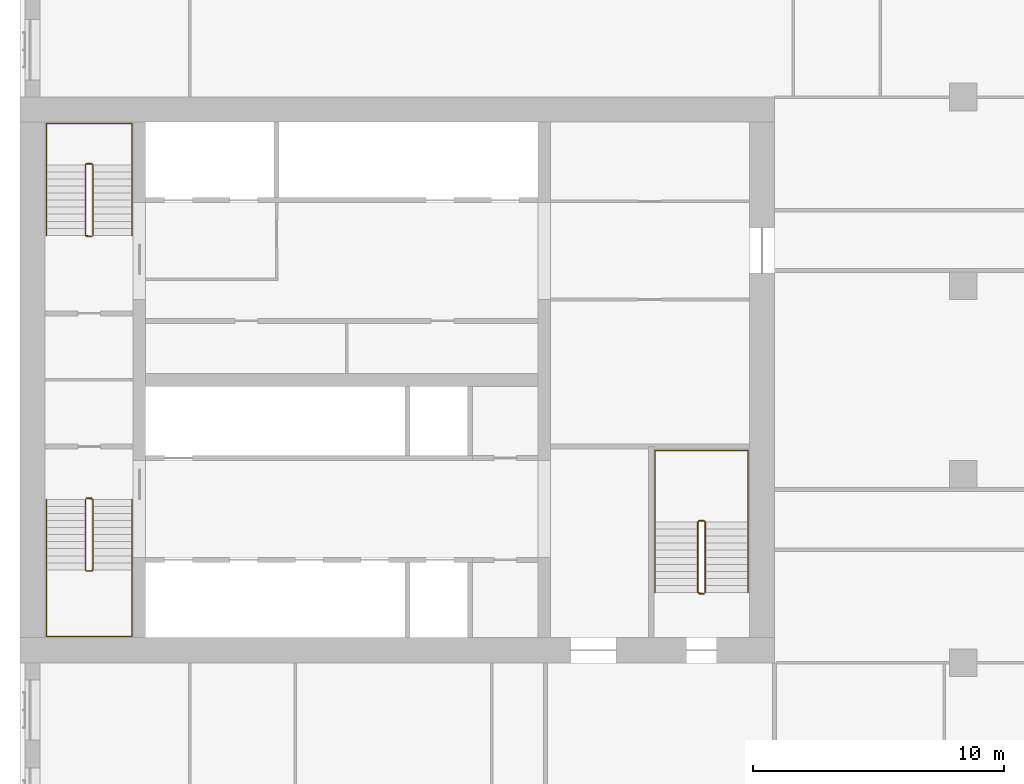
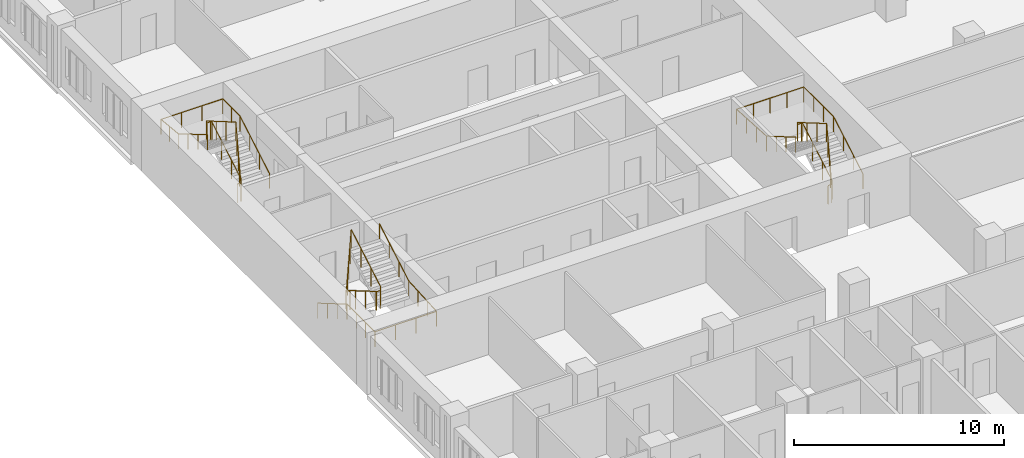
# One storey, part 14 of 14: 6 railings.
"""IFC4 building model written with IfcOpenShell, lengths in metres."""

from ifc_helpers import new_model, si_unit, direction, frame, origin, origin_2d, place, context, subcontext, project, spatial, circle, extrude, material, type_object, element, save


model = new_model("IFC4")

# Units and contexts
model_context = context("Model", 3, precision=1e-05, world=origin(), true_north=direction((0.0, 1.0)))
body_context = subcontext(model_context, "Body", "Model", "MODEL_VIEW")
ifc_project = project(units=[si_unit("LENGTHUNIT", "METRE"), si_unit("AREAUNIT", "SQUARE_METRE"), si_unit("VOLUMEUNIT", "CUBIC_METRE"), si_unit("PLANEANGLEUNIT", "RADIAN"), si_unit("MASSUNIT", "GRAM", prefix="KILO")], contexts=[model_context])

# Site, building, storey
site_placement = place(None, origin())
site = spatial("IfcSite", under=ifc_project, at=site_placement, CompositionType="ELEMENT")
building_placement = place(site_placement, origin())
building = spatial("IfcBuilding", under=site, at=building_placement, Name="Tamorin Gate", CompositionType="ELEMENT")
storey_placement = place(building_placement, frame((0.0, 0.0, 104.300048828125)))
storey = spatial("IfcBuildingStorey", under=building, at=storey_placement, Name="L25", CompositionType="ELEMENT", Elevation=104.300048828125)

# Railings
ifc_material_1 = material(Name="Painted steel balustrade", Category="steel")
railing_type_1 = type_object("IfcRailingType", Name="Stair guard 1100", PredefinedType="GUARDRAIL", material=ifc_material_1)
railing_1_placement = place(storey_placement, frame((32.60009765625, 66.5, 0.16357421875)))
element("IfcRailing", 1, at=railing_1_placement, inside=storey, type_object=railing_type_1, Name="L25 ST1 stair guard 1", PredefinedType="GUARDRAIL", context=body_context, shape_type="SweptSolid", body=[
    extrude(circle(Radius=0.02392578125, at=origin_2d()), frame((0.0, 0.0, 1.076171875), z_axis=(0.0, -0.863360870873, 0.504586966384), x_axis=(1.0, 0.0, 0.0)), (0.0, 0.0, 1.0), 3.2431640625),
    extrude(circle(Radius=0.02392578125, at=origin_2d()), frame((0.0, -2.800048828125, 2.71240234375), z_axis=(0.705375805398, -0.708833529934, 0.0), x_axis=(0.708833529934, 0.705375805398, 0.0)), (0.0, 0.0, 1.0), 0.070556640625),
    extrude(circle(Radius=0.02392578125, at=origin_2d()), frame((0.0498046875, -2.85009765625, 2.71240234375), z_axis=(1.0, 0.0, 0.0), x_axis=(0.0, 1.0, 0.0)), (0.0, 0.0, 1.0), 0.2001953125),
    extrude(circle(Radius=0.02392578125, at=origin_2d()), frame((0.25, -2.85009765625, 2.71240234375), z_axis=(0.279546231943, 0.280916556609, 0.91811752648), x_axis=(-0.708833529934, 0.705375805398, 0.0)), (0.0, 0.0, 1.0), 0.17822265625),
    extrude(circle(Radius=0.02392578125, at=origin_2d()), frame((0.2998046875, -2.800048828125, 2.8759765625), z_axis=(0.0, 0.863393664356, 0.504530851732), x_axis=(-1.0, 0.0, 0.0)), (0.0, 0.0, 1.0), 3.2431640625),
    extrude(circle(Radius=0.02392578125, at=origin_2d()), frame((0.2998046875, 0.0, 4.51220703125), z_axis=(-0.069273741535, 0.013868278335, -0.997501288014), x_axis=(-0.196300278283, -0.98054382908, 0.0)), (0.0, 0.0, 1.0), 3.60888671875),
    extrude(circle(Radius=0.02392578125, at=origin_2d()), frame((0.0498046875, 0.050048828125, 0.91259765625), z_axis=(1.0, 0.0, 0.0), x_axis=(0.0, 1.0, 0.0)), (0.0, 0.0, 1.0), 0.2001953125),
    extrude(circle(Radius=0.02099609375, at=origin_2d()), origin(), (0.0, 0.0, 1.0), 1.052001953125),
    extrude(circle(Radius=0.02099609375, at=origin_2d()), frame((0.0, -0.933349609375, 0.54541015625)), (0.0, 0.0, 1.0), 1.052001953125),
    extrude(circle(Radius=0.02099609375, at=origin_2d()), frame((0.0, -1.86669921875, 1.091064453125)), (0.0, 0.0, 1.0), 1.052001953125),
    extrude(circle(Radius=0.02099609375, at=origin_2d()), frame((0.0, -2.800048828125, 1.636474609375)), (0.0, 0.0, 1.0), 1.052001953125),
    extrude(circle(Radius=0.02099609375, at=origin_2d()), frame((0.0498046875, -2.85009765625, 1.636474609375)), (0.0, 0.0, 1.0), 1.052001953125),
    extrude(circle(Radius=0.02099609375, at=origin_2d()), frame((0.25, -2.85009765625, 1.636474609375)), (0.0, 0.0, 1.0), 1.052001953125),
    extrude(circle(Radius=0.02099609375, at=origin_2d()), frame((0.2998046875, -2.800048828125, 1.800048828125)), (0.0, 0.0, 1.0), 1.052001953125),
    extrude(circle(Radius=0.02099609375, at=origin_2d()), frame((0.2998046875, -1.86669921875, 2.345458984375)), (0.0, 0.0, 1.0), 1.052001953125),
    extrude(circle(Radius=0.02099609375, at=origin_2d()), frame((0.2998046875, -0.933349609375, 2.890869140625)), (0.0, 0.0, 1.0), 1.052001953125),
    extrude(circle(Radius=0.02099609375, at=origin_2d()), frame((0.2998046875, 0.0, 3.436279296875)), (0.0, 0.0, 1.0), 1.052001953125),
    extrude(circle(Radius=0.02099609375, at=origin_2d()), frame((0.2373046875, 0.012451171875, 2.536376953125)), (0.0, 0.0, 1.0), 1.052001953125),
    extrude(circle(Radius=0.02099609375, at=origin_2d()), frame((0.1748046875, 0.02490234375, 1.63623046875)), (0.0, 0.0, 1.0), 1.052001953125),
    extrude(circle(Radius=0.02099609375, at=origin_2d()), frame((0.1123046875, 0.03759765625, 0.736328125)), (0.0, 0.0, 1.0), 1.052001953125),
    extrude(circle(Radius=0.02099609375, at=origin_2d()), frame((0.0498046875, 0.050048828125, -0.16357421875)), (0.0, 0.0, 1.0), 1.052001953125),
    extrude(circle(Radius=0.02099609375, at=origin_2d()), frame((0.25, 0.050048828125, -0.16357421875)), (0.0, 0.0, 1.0), 1.052001953125),
])
railing_2_placement = place(storey_placement, frame((32.89990234375, 77.0, 0.16357421875)))
element("IfcRailing", 2, at=railing_2_placement, inside=storey, type_object=railing_type_1, Name="L25 ST2 stair guard 1", PredefinedType="GUARDRAIL", context=body_context, shape_type="SweptSolid", body=[
    extrude(circle(Radius=0.02392578125, at=origin_2d()), frame((0.0, 0.0, 1.076171875), z_axis=(0.0, 0.863360870873, 0.504586966384), x_axis=(-1.0, 0.0, 0.0)), (0.0, 0.0, 1.0), 3.2431640625),
    extrude(circle(Radius=0.02392578125, at=origin_2d()), frame((0.0, 2.800048828125, 2.71240234375), z_axis=(-0.705375805398, 0.708833529934, 0.0), x_axis=(-0.708833529934, -0.705375805398, 0.0)), (0.0, 0.0, 1.0), 0.070556640625),
    extrude(circle(Radius=0.02392578125, at=origin_2d()), frame((-0.0498046875, 2.85009765625, 2.71240234375), z_axis=(-1.0, 0.0, 0.0), x_axis=(0.0, -1.0, 0.0)), (0.0, 0.0, 1.0), 0.2001953125),
    extrude(circle(Radius=0.02392578125, at=origin_2d()), frame((-0.25, 2.85009765625, 2.71240234375), z_axis=(-0.279546231943, -0.280916556609, 0.91811752648), x_axis=(0.708833529934, -0.705375805398, 0.0)), (0.0, 0.0, 1.0), 0.17822265625),
    extrude(circle(Radius=0.02392578125, at=origin_2d()), frame((-0.2998046875, 2.800048828125, 2.8759765625), z_axis=(0.0, -0.863393664356, 0.504530851732), x_axis=(1.0, 0.0, 0.0)), (0.0, 0.0, 1.0), 3.2431640625),
    extrude(circle(Radius=0.02392578125, at=origin_2d()), frame((-0.2998046875, 0.0, 4.51220703125), z_axis=(0.069273741535, -0.013868278335, -0.997501288014), x_axis=(0.196300278283, 0.98054382908, 0.0)), (0.0, 0.0, 1.0), 3.60888671875),
    extrude(circle(Radius=0.02392578125, at=origin_2d()), frame((-0.0498046875, -0.050048828125, 0.91259765625), z_axis=(-1.0, 0.0, 0.0), x_axis=(0.0, -1.0, 0.0)), (0.0, 0.0, 1.0), 0.2001953125),
    extrude(circle(Radius=0.02099609375, at=origin_2d()), origin(), (0.0, 0.0, 1.0), 1.052001953125),
    extrude(circle(Radius=0.02099609375, at=origin_2d()), frame((0.0, 0.933349609375, 0.54541015625)), (0.0, 0.0, 1.0), 1.052001953125),
    extrude(circle(Radius=0.02099609375, at=origin_2d()), frame((0.0, 1.86669921875, 1.091064453125)), (0.0, 0.0, 1.0), 1.052001953125),
    extrude(circle(Radius=0.02099609375, at=origin_2d()), frame((0.0, 2.800048828125, 1.636474609375)), (0.0, 0.0, 1.0), 1.052001953125),
    extrude(circle(Radius=0.02099609375, at=origin_2d()), frame((-0.0498046875, 2.85009765625, 1.636474609375)), (0.0, 0.0, 1.0), 1.052001953125),
    extrude(circle(Radius=0.02099609375, at=origin_2d()), frame((-0.25, 2.85009765625, 1.636474609375)), (0.0, 0.0, 1.0), 1.052001953125),
    extrude(circle(Radius=0.02099609375, at=origin_2d()), frame((-0.2998046875, 2.800048828125, 1.800048828125)), (0.0, 0.0, 1.0), 1.052001953125),
    extrude(circle(Radius=0.02099609375, at=origin_2d()), frame((-0.2998046875, 1.86669921875, 2.345458984375)), (0.0, 0.0, 1.0), 1.052001953125),
    extrude(circle(Radius=0.02099609375, at=origin_2d()), frame((-0.2998046875, 0.933349609375, 2.890869140625)), (0.0, 0.0, 1.0), 1.052001953125),
    extrude(circle(Radius=0.02099609375, at=origin_2d()), frame((-0.2998046875, 0.0, 3.436279296875)), (0.0, 0.0, 1.0), 1.052001953125),
    extrude(circle(Radius=0.02099609375, at=origin_2d()), frame((-0.2373046875, -0.012451171875, 2.536376953125)), (0.0, 0.0, 1.0), 1.052001953125),
    extrude(circle(Radius=0.02099609375, at=origin_2d()), frame((-0.1748046875, -0.02490234375, 1.63623046875)), (0.0, 0.0, 1.0), 1.052001953125),
    extrude(circle(Radius=0.02099609375, at=origin_2d()), frame((-0.1123046875, -0.03759765625, 0.736328125)), (0.0, 0.0, 1.0), 1.052001953125),
    extrude(circle(Radius=0.02099609375, at=origin_2d()), frame((-0.0498046875, -0.050048828125, -0.16357421875)), (0.0, 0.0, 1.0), 1.052001953125),
    extrude(circle(Radius=0.02099609375, at=origin_2d()), frame((-0.25, -0.050048828125, -0.16357421875)), (0.0, 0.0, 1.0), 1.052001953125),
])
railing_3_placement = place(storey_placement, frame((57.25, 62.800048828125, 0.16357421875)))
element("IfcRailing", 3, at=railing_3_placement, inside=storey, type_object=railing_type_1, Name="L25 ST3 stair guard 1", PredefinedType="GUARDRAIL", context=body_context, shape_type="SweptSolid", body=[
    extrude(circle(Radius=0.02392578125, at=origin_2d()), frame((0.0, 0.0, 1.076171875), z_axis=(0.0, 0.863360870873, 0.504586966384), x_axis=(-1.0, 0.0, 0.0)), (0.0, 0.0, 1.0), 3.2431640625),
    extrude(circle(Radius=0.02392578125, at=origin_2d()), frame((0.0, 2.800048828125, 2.71240234375), z_axis=(-0.708833529934, 0.705375805398, 0.0), x_axis=(-0.705375805398, -0.708833529934, 0.0)), (0.0, 0.0, 1.0), 0.070556640625),
    extrude(circle(Radius=0.02392578125, at=origin_2d()), frame((-0.050048828125, 2.849853515625, 2.71240234375), z_axis=(-1.0, 0.0, 0.0), x_axis=(0.0, -1.0, 0.0)), (0.0, 0.0, 1.0), 0.199951171875),
    extrude(circle(Radius=0.02392578125, at=origin_2d()), frame((-0.25, 2.849853515625, 2.71240234375), z_axis=(-0.280916556609, -0.279546231943, 0.91811752648), x_axis=(0.705375805398, -0.708833529934, 0.0)), (0.0, 0.0, 1.0), 0.17822265625),
    extrude(circle(Radius=0.02392578125, at=origin_2d()), frame((-0.300048828125, 2.800048828125, 2.8759765625), z_axis=(0.0, -0.863393664356, 0.504530851732), x_axis=(1.0, 0.0, 0.0)), (0.0, 0.0, 1.0), 3.2431640625),
    extrude(circle(Radius=0.02392578125, at=origin_2d()), frame((-0.300048828125, 0.0, 4.51220703125), z_axis=(0.069273741535, -0.013868278335, -0.997501288014), x_axis=(0.196300278283, 0.98054382908, 0.0)), (0.0, 0.0, 1.0), 3.60888671875),
    extrude(circle(Radius=0.02392578125, at=origin_2d()), frame((-0.050048828125, -0.050048828125, 0.91259765625), z_axis=(-1.0, 0.0, 0.0), x_axis=(0.0, -1.0, 0.0)), (0.0, 0.0, 1.0), 0.199951171875),
    extrude(circle(Radius=0.02099609375, at=origin_2d()), origin(), (0.0, 0.0, 1.0), 1.052001953125),
    extrude(circle(Radius=0.02099609375, at=origin_2d()), frame((0.0, 0.933349609375, 0.54541015625)), (0.0, 0.0, 1.0), 1.052001953125),
    extrude(circle(Radius=0.02099609375, at=origin_2d()), frame((0.0, 1.86669921875, 1.091064453125)), (0.0, 0.0, 1.0), 1.052001953125),
    extrude(circle(Radius=0.02099609375, at=origin_2d()), frame((0.0, 2.800048828125, 1.636474609375)), (0.0, 0.0, 1.0), 1.052001953125),
    extrude(circle(Radius=0.02099609375, at=origin_2d()), frame((-0.050048828125, 2.849853515625, 1.636474609375)), (0.0, 0.0, 1.0), 1.052001953125),
    extrude(circle(Radius=0.02099609375, at=origin_2d()), frame((-0.25, 2.849853515625, 1.636474609375)), (0.0, 0.0, 1.0), 1.052001953125),
    extrude(circle(Radius=0.02099609375, at=origin_2d()), frame((-0.300048828125, 2.800048828125, 1.800048828125)), (0.0, 0.0, 1.0), 1.052001953125),
    extrude(circle(Radius=0.02099609375, at=origin_2d()), frame((-0.300048828125, 1.86669921875, 2.345458984375)), (0.0, 0.0, 1.0), 1.052001953125),
    extrude(circle(Radius=0.02099609375, at=origin_2d()), frame((-0.300048828125, 0.933349609375, 2.890869140625)), (0.0, 0.0, 1.0), 1.052001953125),
    extrude(circle(Radius=0.02099609375, at=origin_2d()), frame((-0.300048828125, 0.0, 3.436279296875)), (0.0, 0.0, 1.0), 1.052001953125),
    extrude(circle(Radius=0.02099609375, at=origin_2d()), frame((-0.237548828125, -0.012451171875, 2.536376953125)), (0.0, 0.0, 1.0), 1.052001953125),
    extrude(circle(Radius=0.02099609375, at=origin_2d()), frame((-0.175048828125, -0.02490234375, 1.63623046875)), (0.0, 0.0, 1.0), 1.052001953125),
    extrude(circle(Radius=0.02099609375, at=origin_2d()), frame((-0.112548828125, -0.03759765625, 0.736328125)), (0.0, 0.0, 1.0), 1.052001953125),
    extrude(circle(Radius=0.02099609375, at=origin_2d()), frame((-0.050048828125, -0.050048828125, -0.16357421875)), (0.0, 0.0, 1.0), 1.052001953125),
    extrude(circle(Radius=0.02099609375, at=origin_2d()), frame((-0.25, -0.050048828125, -0.16357421875)), (0.0, 0.0, 1.0), 1.052001953125),
])
ifc_material_2 = material(Name="Painted steel handrail", Category="steel")
railing_type_2 = type_object("IfcRailingType", Name="Stair handrail 900", PredefinedType="HANDRAIL", material=ifc_material_2)
railing_4_placement = place(storey_placement, frame((31.050048828125, 66.5, 0.16357421875)))
element("IfcRailing", 4, at=railing_4_placement, inside=storey, type_object=railing_type_2, Name="L25 ST1 stair handrail 1", PredefinedType="HANDRAIL", context=body_context, shape_type="SweptSolid", body=[
    extrude(circle(Radius=0.02392578125, at=origin_2d()), frame((0.0, 0.0, 0.8759765625), z_axis=(0.0, -0.863360870873, 0.504586966384), x_axis=(1.0, 0.0, 0.0)), (0.0, 0.0, 1.0), 3.2431640625),
    extrude(circle(Radius=0.02392578125, at=origin_2d()), frame((0.0, -2.800048828125, 2.51220703125), z_axis=(0.0, -1.0, 0.0), x_axis=(1.0, 0.0, 0.0)), (0.0, 0.0, 1.0), 2.64990234375),
    extrude(circle(Radius=0.02392578125, at=origin_2d()), frame((0.0, -5.449951171875, 2.51220703125), z_axis=(1.0, 0.0, 0.0), x_axis=(0.0, 1.0, 0.0)), (0.0, 0.0, 1.0), 3.39990234375),
    extrude(circle(Radius=0.02392578125, at=origin_2d()), frame((3.39990234375, -5.449951171875, 2.51220703125), z_axis=(0.0, 0.998100230056, 0.061611125312), x_axis=(-1.0, 0.0, 0.0)), (0.0, 0.0, 1.0), 2.655029296875),
    extrude(circle(Radius=0.02392578125, at=origin_2d()), frame((3.39990234375, -2.800048828125, 2.67578125), z_axis=(0.0, 0.863393664356, 0.504530851732), x_axis=(-1.0, 0.0, 0.0)), (0.0, 0.0, 1.0), 3.2431640625),
    extrude(circle(Radius=0.02099609375, at=origin_2d()), origin(), (0.0, 0.0, 1.0), 0.851806640625),
    extrude(circle(Radius=0.02099609375, at=origin_2d()), frame((0.0, -0.933349609375, 0.54541015625)), (0.0, 0.0, 1.0), 0.851806640625),
    extrude(circle(Radius=0.02099609375, at=origin_2d()), frame((0.0, -1.86669921875, 1.091064453125)), (0.0, 0.0, 1.0), 0.851806640625),
    extrude(circle(Radius=0.02099609375, at=origin_2d()), frame((0.0, -2.800048828125, 1.636474609375)), (0.0, 0.0, 1.0), 0.851806640625),
    extrude(circle(Radius=0.02099609375, at=origin_2d()), frame((0.0, -3.683349609375, 1.636474609375)), (0.0, 0.0, 1.0), 0.851806640625),
    extrude(circle(Radius=0.02099609375, at=origin_2d()), frame((0.0, -4.566650390625, 1.636474609375)), (0.0, 0.0, 1.0), 0.851806640625),
    extrude(circle(Radius=0.02099609375, at=origin_2d()), frame((0.0, -5.449951171875, 1.636474609375)), (0.0, 0.0, 1.0), 0.851806640625),
    extrude(circle(Radius=0.02099609375, at=origin_2d()), frame((1.13330078125, -5.449951171875, 1.636474609375)), (0.0, 0.0, 1.0), 0.851806640625),
    extrude(circle(Radius=0.02099609375, at=origin_2d()), frame((2.2666015625, -5.449951171875, 1.636474609375)), (0.0, 0.0, 1.0), 0.851806640625),
    extrude(circle(Radius=0.02099609375, at=origin_2d()), frame((3.39990234375, -5.449951171875, 1.636474609375)), (0.0, 0.0, 1.0), 0.851806640625),
    extrude(circle(Radius=0.02099609375, at=origin_2d()), frame((3.39990234375, -4.566650390625, 1.69091796875)), (0.0, 0.0, 1.0), 0.851806640625),
    extrude(circle(Radius=0.02099609375, at=origin_2d()), frame((3.39990234375, -3.683349609375, 1.74560546875)), (0.0, 0.0, 1.0), 0.851806640625),
    extrude(circle(Radius=0.02099609375, at=origin_2d()), frame((3.39990234375, -2.800048828125, 1.800048828125)), (0.0, 0.0, 1.0), 0.851806640625),
    extrude(circle(Radius=0.02099609375, at=origin_2d()), frame((3.39990234375, -1.86669921875, 2.345458984375)), (0.0, 0.0, 1.0), 0.851806640625),
    extrude(circle(Radius=0.02099609375, at=origin_2d()), frame((3.39990234375, -0.933349609375, 2.890869140625)), (0.0, 0.0, 1.0), 0.851806640625),
    extrude(circle(Radius=0.02099609375, at=origin_2d()), frame((3.39990234375, 0.0, 3.436279296875)), (0.0, 0.0, 1.0), 0.851806640625),
])
railing_5_placement = place(storey_placement, frame((34.449951171875, 77.0, 0.16357421875)))
element("IfcRailing", 5, at=railing_5_placement, inside=storey, type_object=railing_type_2, Name="L25 ST2 stair handrail 1", PredefinedType="HANDRAIL", context=body_context, shape_type="SweptSolid", body=[
    extrude(circle(Radius=0.02392578125, at=origin_2d()), frame((0.0, 0.0, 0.8759765625), z_axis=(0.0, 0.863360870873, 0.504586966384), x_axis=(-1.0, 0.0, 0.0)), (0.0, 0.0, 1.0), 3.2431640625),
    extrude(circle(Radius=0.02392578125, at=origin_2d()), frame((0.0, 2.800048828125, 2.51220703125), z_axis=(0.0, 1.0, 0.0), x_axis=(-1.0, 0.0, 0.0)), (0.0, 0.0, 1.0), 1.64990234375),
    extrude(circle(Radius=0.02392578125, at=origin_2d()), frame((0.0, 4.449951171875, 2.51220703125), z_axis=(-1.0, 0.0, 0.0), x_axis=(0.0, -1.0, 0.0)), (0.0, 0.0, 1.0), 3.39990234375),
    extrude(circle(Radius=0.02392578125, at=origin_2d()), frame((-3.39990234375, 4.449951171875, 2.51220703125), z_axis=(0.0, -0.995121390814, 0.098658084026), x_axis=(1.0, 0.0, 0.0)), (0.0, 0.0, 1.0), 1.657958984375),
    extrude(circle(Radius=0.02392578125, at=origin_2d()), frame((-3.39990234375, 2.800048828125, 2.67578125), z_axis=(0.0, -0.863393664356, 0.504530851732), x_axis=(1.0, 0.0, 0.0)), (0.0, 0.0, 1.0), 3.2431640625),
    extrude(circle(Radius=0.02099609375, at=origin_2d()), origin(), (0.0, 0.0, 1.0), 0.851806640625),
    extrude(circle(Radius=0.02099609375, at=origin_2d()), frame((0.0, 0.933349609375, 0.54541015625)), (0.0, 0.0, 1.0), 0.851806640625),
    extrude(circle(Radius=0.02099609375, at=origin_2d()), frame((0.0, 1.86669921875, 1.091064453125)), (0.0, 0.0, 1.0), 0.851806640625),
    extrude(circle(Radius=0.02099609375, at=origin_2d()), frame((0.0, 2.800048828125, 1.636474609375)), (0.0, 0.0, 1.0), 0.851806640625),
    extrude(circle(Radius=0.02099609375, at=origin_2d()), frame((0.0, 3.625, 1.636474609375)), (0.0, 0.0, 1.0), 0.851806640625),
    extrude(circle(Radius=0.02099609375, at=origin_2d()), frame((0.0, 4.449951171875, 1.636474609375)), (0.0, 0.0, 1.0), 0.851806640625),
    extrude(circle(Radius=0.02099609375, at=origin_2d()), frame((-1.13330078125, 4.449951171875, 1.636474609375)), (0.0, 0.0, 1.0), 0.851806640625),
    extrude(circle(Radius=0.02099609375, at=origin_2d()), frame((-2.2666015625, 4.449951171875, 1.636474609375)), (0.0, 0.0, 1.0), 0.851806640625),
    extrude(circle(Radius=0.02099609375, at=origin_2d()), frame((-3.39990234375, 4.449951171875, 1.636474609375)), (0.0, 0.0, 1.0), 0.851806640625),
    extrude(circle(Radius=0.02099609375, at=origin_2d()), frame((-3.39990234375, 3.625, 1.71826171875)), (0.0, 0.0, 1.0), 0.851806640625),
    extrude(circle(Radius=0.02099609375, at=origin_2d()), frame((-3.39990234375, 2.800048828125, 1.800048828125)), (0.0, 0.0, 1.0), 0.851806640625),
    extrude(circle(Radius=0.02099609375, at=origin_2d()), frame((-3.39990234375, 1.86669921875, 2.345458984375)), (0.0, 0.0, 1.0), 0.851806640625),
    extrude(circle(Radius=0.02099609375, at=origin_2d()), frame((-3.39990234375, 0.933349609375, 2.890869140625)), (0.0, 0.0, 1.0), 0.851806640625),
    extrude(circle(Radius=0.02099609375, at=origin_2d()), frame((-3.39990234375, 0.0, 3.436279296875)), (0.0, 0.0, 1.0), 0.851806640625),
])
railing_6_placement = place(storey_placement, frame((58.949951171875, 62.800048828125, 0.16357421875)))
element("IfcRailing", 6, at=railing_6_placement, inside=storey, type_object=railing_type_2, Name="L25 ST3 stair handrail 1", PredefinedType="HANDRAIL", context=body_context, shape_type="SweptSolid", body=[
    extrude(circle(Radius=0.02392578125, at=origin_2d()), frame((0.0, 0.0, 0.8759765625), z_axis=(0.0, 0.863360870873, 0.504586966384), x_axis=(-1.0, 0.0, 0.0)), (0.0, 0.0, 1.0), 3.2431640625),
    extrude(circle(Radius=0.02392578125, at=origin_2d()), frame((0.0, 2.800048828125, 2.51220703125), z_axis=(0.0, 1.0, 0.0), x_axis=(-1.0, 0.0, 0.0)), (0.0, 0.0, 1.0), 2.849853515625),
    extrude(circle(Radius=0.02392578125, at=origin_2d()), frame((0.0, 5.64990234375, 2.51220703125), z_axis=(-1.0, 0.0, 0.0), x_axis=(0.0, -1.0, 0.0)), (0.0, 0.0, 1.0), 3.699951171875),
    extrude(circle(Radius=0.02392578125, at=origin_2d()), frame((-3.699951171875, 5.64990234375, 2.51220703125), z_axis=(0.0, -0.998356827416, 0.057303098978), x_axis=(1.0, 0.0, 0.0)), (0.0, 0.0, 1.0), 2.8544921875),
    extrude(circle(Radius=0.02392578125, at=origin_2d()), frame((-3.699951171875, 2.800048828125, 2.67578125), z_axis=(0.0, -0.863393664356, 0.504530851732), x_axis=(1.0, 0.0, 0.0)), (0.0, 0.0, 1.0), 3.2431640625),
    extrude(circle(Radius=0.02099609375, at=origin_2d()), origin(), (0.0, 0.0, 1.0), 0.851806640625),
    extrude(circle(Radius=0.02099609375, at=origin_2d()), frame((0.0, 0.933349609375, 0.54541015625)), (0.0, 0.0, 1.0), 0.851806640625),
    extrude(circle(Radius=0.02099609375, at=origin_2d()), frame((0.0, 1.86669921875, 1.091064453125)), (0.0, 0.0, 1.0), 0.851806640625),
    extrude(circle(Radius=0.02099609375, at=origin_2d()), frame((0.0, 2.800048828125, 1.636474609375)), (0.0, 0.0, 1.0), 0.851806640625),
    extrude(circle(Radius=0.02099609375, at=origin_2d()), frame((0.0, 3.75, 1.636474609375)), (0.0, 0.0, 1.0), 0.851806640625),
    extrude(circle(Radius=0.02099609375, at=origin_2d()), frame((0.0, 4.699951171875, 1.636474609375)), (0.0, 0.0, 1.0), 0.851806640625),
    extrude(circle(Radius=0.02099609375, at=origin_2d()), frame((0.0, 5.64990234375, 1.636474609375)), (0.0, 0.0, 1.0), 0.851806640625),
    extrude(circle(Radius=0.02099609375, at=origin_2d()), frame((-0.925048828125, 5.64990234375, 1.636474609375)), (0.0, 0.0, 1.0), 0.851806640625),
    extrude(circle(Radius=0.02099609375, at=origin_2d()), frame((-1.85009765625, 5.64990234375, 1.636474609375)), (0.0, 0.0, 1.0), 0.851806640625),
    extrude(circle(Radius=0.02099609375, at=origin_2d()), frame((-2.77490234375, 5.64990234375, 1.636474609375)), (0.0, 0.0, 1.0), 0.851806640625),
    extrude(circle(Radius=0.02099609375, at=origin_2d()), frame((-3.699951171875, 5.64990234375, 1.636474609375)), (0.0, 0.0, 1.0), 0.851806640625),
    extrude(circle(Radius=0.02099609375, at=origin_2d()), frame((-3.699951171875, 4.699951171875, 1.69091796875)), (0.0, 0.0, 1.0), 0.851806640625),
    extrude(circle(Radius=0.02099609375, at=origin_2d()), frame((-3.699951171875, 3.75, 1.74560546875)), (0.0, 0.0, 1.0), 0.851806640625),
    extrude(circle(Radius=0.02099609375, at=origin_2d()), frame((-3.699951171875, 2.800048828125, 1.800048828125)), (0.0, 0.0, 1.0), 0.851806640625),
    extrude(circle(Radius=0.02099609375, at=origin_2d()), frame((-3.699951171875, 1.86669921875, 2.345458984375)), (0.0, 0.0, 1.0), 0.851806640625),
    extrude(circle(Radius=0.02099609375, at=origin_2d()), frame((-3.699951171875, 0.933349609375, 2.890869140625)), (0.0, 0.0, 1.0), 0.851806640625),
    extrude(circle(Radius=0.02099609375, at=origin_2d()), frame((-3.699951171875, 0.0, 3.436279296875)), (0.0, 0.0, 1.0), 0.851806640625),
])

save(model, "model.ifc")
